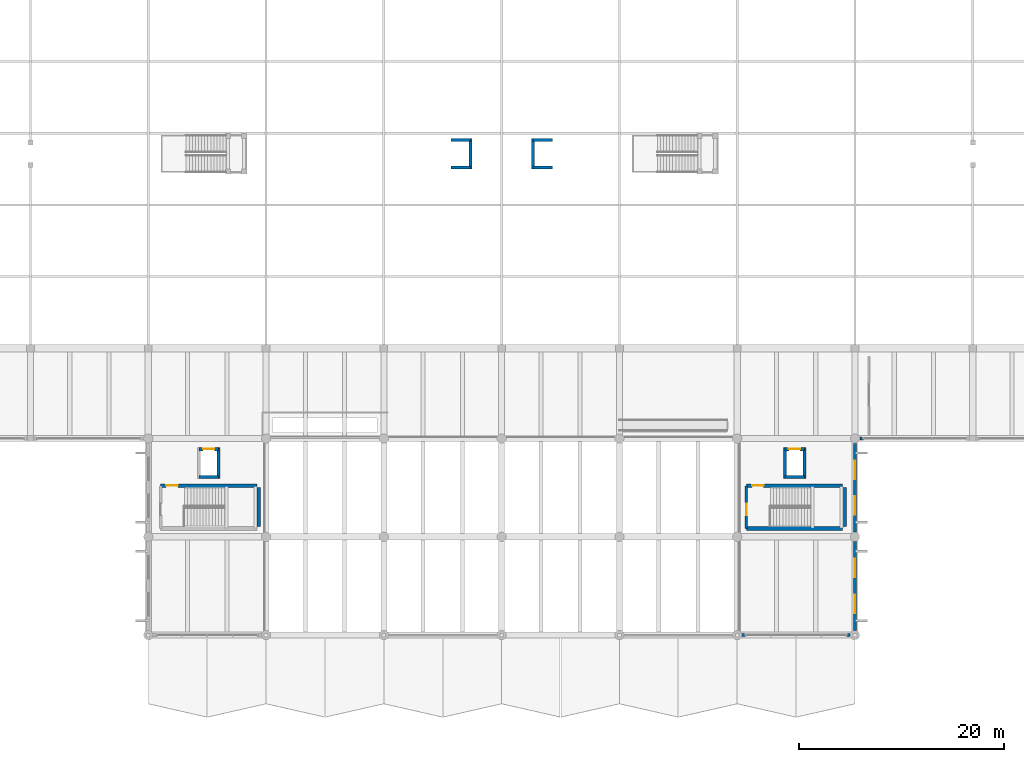
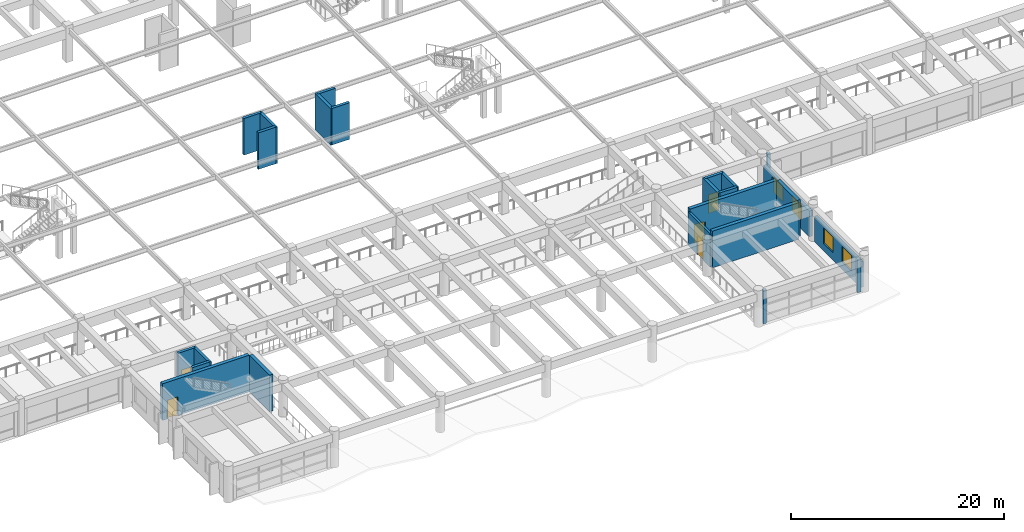
# One storey, part 71 of 98: 24 walls, 5 doors, 4 windows, 9 openings.
"""IFC4 building model written with IfcOpenShell, lengths in metres."""

from ifc_helpers import new_model, si_unit, direction, frame, frame_2d, origin, place, context, subcontext, project, spatial, rectangle, extrude, material, layer, layer_set, type_object, element, fill, save


model = new_model("IFC4")

# Units and contexts
model_context = context("Model", 3, precision=1e-05, world=origin(), true_north=direction((0.0, 1.0)))
body_context = subcontext(model_context, "Body", "Model", "MODEL_VIEW")
ifc_project = project(units=[si_unit("LENGTHUNIT", "METRE"), si_unit("AREAUNIT", "SQUARE_METRE"), si_unit("VOLUMEUNIT", "CUBIC_METRE"), si_unit("PLANEANGLEUNIT", "RADIAN"), si_unit("MASSUNIT", "GRAM", prefix="KILO")], contexts=[model_context])

# Site, building, storey
site_placement = place(None, origin())
site = spatial("IfcSite", under=ifc_project, at=site_placement, CompositionType="ELEMENT")
building_placement = place(site_placement, origin())
building = spatial("IfcBuilding", under=site, at=building_placement, Name="Ologun Quay Terminus", CompositionType="ELEMENT")
storey_placement = place(building_placement, frame((0.0, 0.0, 4.199951171875)))
storey = spatial("IfcBuildingStorey", under=building, at=storey_placement, Name="L01", CompositionType="ELEMENT", Elevation=4.199951171875)

# Walls
ifc_material_1 = material(Name="Concrete C40/50", Category="concrete")
ifc_layer_1 = layer(ifc_material_1, 0.280029296875)
ifc_layer_set_1 = layer_set([ifc_layer_1], Name="Concrete C40/50")
wall_type_1 = type_object("IfcWallType", Name="Courtyard Wing Spandrel Concrete Wall 280", PredefinedType="SOLIDWALL", material=ifc_layer_set_1)
for number, where, z_axis, x_axis, name in (
    (1, (115.469970703125, 8.0, 0.0), (0.0, 0.0, 1.0), (1.0, 0.0, 0.0), "Curtain Wall Jamb Pier CW-L01-015-J1"),
    (2, (125.679931640625, 8.0, 0.0), (0.0, 0.0, 1.0), (1.0, 0.0, 0.0), "Curtain Wall Jamb Pier CW-L01-015-J2"),
    (3, (126.969970703125, 27.199951171875, 0.0), (0.0, 0.0, 1.0), (1.0, 0.0, 0.0), "Curtain Wall Jamb Pier CW-L01-016-J1"),
):
    element("IfcWall", number, at=place(storey_placement, frame(where, z_axis=z_axis, x_axis=x_axis)), inside=storey, type_object=wall_type_1, Name=name, PredefinedType="SOLIDWALL", context=body_context, shape_type="SweptSolid", body=[
        extrude(rectangle(XDim=0.35009765625, YDim=0.280029296875, at=frame_2d((0.175048828125, 0.0))), origin(), (0.0, 0.0, 1.0), 3.840087890625),
    ])

# Wall, opening, door
ifc_material_2 = material(Name="Concrete C40/50", Category="concrete")
ifc_layer_2 = layer(ifc_material_2, 0.239990234375)
ifc_layer_set_2 = layer_set([ifc_layer_2], Name="Concrete C40/50")
wall_type_2 = type_object("IfcWallType", Name="Fire Compartment Blockwork Wall 240", PredefinedType="SOLIDWALL", material=ifc_layer_set_2)
wall_1_placement = place(storey_placement, frame((115.89990234375, 18.419921875, 0.0), z_axis=(0.0, 0.0, 1.0), x_axis=(0.0, 1.0, 0.0)))
wall_1 = element("IfcWall", 4, at=wall_1_placement, inside=storey, type_object=wall_type_2, Name="PW-01 Partition ST-S4-W", PredefinedType="SOLIDWALL", context=body_context, shape_type="SweptSolid", body=[
    extrude(rectangle(XDim=4.16015625, YDim=0.239990234375, at=frame_2d((2.080078125, 0.0))), origin(), (0.0, 0.0, 1.0), 3.840087890625),
])
opening_1_placement = place(wall_1_placement, frame((1.300048828125, 0.0, 0.0)))
opening_1 = element("IfcOpeningElement", 5, at=opening_1_placement, cuts=wall_1, Name="Opening ID-268", PredefinedType="OPENING", context=body_context, shape_type="SweptSolid", body=[
    extrude(rectangle(XDim=1.1298828125, YDim=2.14990234375, at=frame_2d((0.56494140625, 1.074951171875))), frame((0.0, 0.1298828125, 0.0), z_axis=(0.0, -1.0, 0.0), x_axis=(1.0, 0.0, 0.0)), (0.0, 0.0, 1.0), 0.260009765625),
])
ifc_material_3 = material(Name="Steel S355", Category="steel")
door_type_1 = type_object("IfcDoorType", Name="Stairwell Fire Escape Door 1130x2150", OperationType="SINGLE_SWING_LEFT", PredefinedType="DOOR", material=ifc_material_3)
door_1_placement = place(opening_1_placement, frame((0.56494140625, 0.0, 0.0), z_axis=(0.0, 0.0, 1.0), x_axis=(-1.0, 0.0, 0.0)))
door_1 = element("IfcDoor", 6, at=door_1_placement, inside=storey, type_object=door_type_1, Name="FD-01 Door ID-268", OperationType="SINGLE_SWING_LEFT", OverallHeight=2.14990234375, OverallWidth=1.1298828125, PredefinedType="DOOR", context=body_context, shape_type="SweptSolid", body=[
    extrude(rectangle(XDim=1.1298828125, YDim=2.14990234375, at=frame_2d((0.0, 1.074951171875))), frame((0.0, 0.02490234375, 0.0), z_axis=(0.0, -1.0, 0.0), x_axis=(1.0, 0.0, 0.0)), (0.0, 0.0, 1.0), 0.050048828125),
])
fill(opening_1, door_1)

# Wall
ifc_material_4 = material(Name="Concrete C40/50", Category="concrete")
ifc_layer_3 = layer(ifc_material_4, 0.300048828125)
ifc_layer_set_3 = layer_set([ifc_layer_3], Name="Concrete C40/50")
wall_type_3 = type_object("IfcWallType", Name="Lift Shaft Structural Shear Wall 300", PredefinedType="SHEAR", material=ifc_layer_set_3)
wall_2_placement = place(storey_placement, frame((62.449951171875, 23.449951171875, 0.0), z_axis=(0.0, 0.0, 1.0), x_axis=(1.0, 0.0, 0.0)))
element("IfcWall", 7, at=wall_2_placement, inside=storey, type_object=wall_type_3, Name="Lift PL-S1 Shaft Wall S L01", PredefinedType="SHEAR", context=body_context, shape_type="SweptSolid", body=[
    extrude(rectangle(XDim=1.900146484375, YDim=0.300048828125, at=frame_2d((0.9501953125, 0.0))), origin(), (0.0, 0.0, 1.0), 4.199951171875),
])

# Wall, opening, door
wall_3_placement = place(storey_placement, frame((62.449951171875, 26.14990234375, 0.0), z_axis=(0.0, 0.0, 1.0), x_axis=(1.0, 0.0, 0.0)))
wall_3 = element("IfcWall", 8, at=wall_3_placement, inside=storey, type_object=wall_type_3, Name="Lift PL-S1 Shaft Wall N L01", PredefinedType="SHEAR", context=body_context, shape_type="SweptSolid", body=[
    extrude(rectangle(XDim=1.900146484375, YDim=0.300048828125, at=frame_2d((0.9501953125, 0.0))), origin(), (0.0, 0.0, 1.0), 4.199951171875),
])
opening_2_placement = place(wall_3_placement, frame((0.39990234375, 0.0, 0.0)))
opening_2 = element("IfcOpeningElement", 9, at=opening_2_placement, cuts=wall_3, Name="Opening ID-049", PredefinedType="OPENING", context=body_context, shape_type="SweptSolid", body=[
    extrude(rectangle(XDim=1.10009765625, YDim=2.14990234375, at=frame_2d((0.550048828125, 1.074951171875))), frame((0.0, 0.16015625, 0.0), z_axis=(0.0, -1.0, 0.0), x_axis=(1.0, 0.0, 0.0)), (0.0, 0.0, 1.0), 0.320068359375),
])
ifc_material_5 = material(Name="Steel S355", Category="steel")
door_type_2 = type_object("IfcDoorType", Name="Lift Landing Sliding Door 1100x2150", OperationType="SLIDING_TO_LEFT", PredefinedType="DOOR", material=ifc_material_5)
door_2_placement = place(opening_2_placement, origin())
door_2 = element("IfcDoor", 10, at=door_2_placement, inside=storey, type_object=door_type_2, Name="LD-01 Door ID-049", OperationType="SLIDING_TO_LEFT", OverallHeight=2.14990234375, OverallWidth=1.10009765625, PredefinedType="DOOR", context=body_context, shape_type="SweptSolid", body=[
    extrude(rectangle(XDim=1.10009765625, YDim=2.14990234375, at=frame_2d((0.550048828125, 1.074951171875))), frame((0.0, 0.02490234375, 0.0), z_axis=(0.0, -1.0, 0.0), x_axis=(1.0, 0.0, 0.0)), (0.0, 0.0, 1.0), 0.050048828125),
])
fill(opening_2, door_2)

# Walls
wall_4_placement = place(storey_placement, frame((64.35009765625, 23.300048828125, 0.0), z_axis=(0.0, 0.0, 1.0), x_axis=(0.0, 1.0, 0.0)))
element("IfcWall", 11, at=wall_4_placement, inside=storey, type_object=wall_type_3, Name="Lift PL-S1 Shaft Wall E L01", PredefinedType="SHEAR", context=body_context, shape_type="SweptSolid", body=[
    extrude(rectangle(XDim=3.0, YDim=0.300048828125, at=frame_2d((1.5, 0.0))), origin(), (0.0, 0.0, 1.0), 4.199951171875),
])
wall_5_placement = place(storey_placement, frame((119.64990234375, 23.449951171875, 0.0), z_axis=(0.0, 0.0, 1.0), x_axis=(1.0, 0.0, 0.0)))
element("IfcWall", 12, at=wall_5_placement, inside=storey, type_object=wall_type_3, Name="Lift PL-S2 Shaft Wall S L01", PredefinedType="SHEAR", context=body_context, shape_type="SweptSolid", body=[
    extrude(rectangle(XDim=1.900146484375, YDim=0.300048828125, at=frame_2d((0.9501953125, 0.0))), origin(), (0.0, 0.0, 1.0), 4.199951171875),
])

# Wall, opening, door
wall_6_placement = place(storey_placement, frame((119.64990234375, 26.14990234375, 0.0), z_axis=(0.0, 0.0, 1.0), x_axis=(1.0, 0.0, 0.0)))
wall_6 = element("IfcWall", 13, at=wall_6_placement, inside=storey, type_object=wall_type_3, Name="Lift PL-S2 Shaft Wall N L01", PredefinedType="SHEAR", context=body_context, shape_type="SweptSolid", body=[
    extrude(rectangle(XDim=1.900146484375, YDim=0.300048828125, at=frame_2d((0.9501953125, 0.0))), origin(), (0.0, 0.0, 1.0), 4.199951171875),
])
opening_3_placement = place(wall_6_placement, frame((0.39990234375, 0.0, 0.0)))
opening_3 = element("IfcOpeningElement", 14, at=opening_3_placement, cuts=wall_6, Name="Opening ID-055", PredefinedType="OPENING", context=body_context, shape_type="SweptSolid", body=[
    extrude(rectangle(XDim=1.10009765625, YDim=2.14990234375, at=frame_2d((0.550048828125, 1.074951171875))), frame((0.0, 0.16015625, 0.0), z_axis=(0.0, -1.0, 0.0), x_axis=(1.0, 0.0, 0.0)), (0.0, 0.0, 1.0), 0.320068359375),
])
door_3_placement = place(opening_3_placement, origin())
door_3 = element("IfcDoor", 15, at=door_3_placement, inside=storey, type_object=door_type_2, Name="LD-01 Door ID-055", OperationType="SLIDING_TO_LEFT", OverallHeight=2.14990234375, OverallWidth=1.10009765625, PredefinedType="DOOR", context=body_context, shape_type="SweptSolid", body=[
    extrude(rectangle(XDim=1.10009765625, YDim=2.14990234375, at=frame_2d((0.550048828125, 1.074951171875))), frame((0.0, 0.02490234375, 0.0), z_axis=(0.0, -1.0, 0.0), x_axis=(1.0, 0.0, 0.0)), (0.0, 0.0, 1.0), 0.050048828125),
])
fill(opening_3, door_3)

# Walls
for number, where, z_axis, x_axis, name in (
    (16, (119.64990234375, 23.300048828125, 0.0), (0.0, 0.0, 1.0), (0.0, 1.0, 0.0), "Lift PL-S2 Shaft Wall W L01"),
    (17, (121.550048828125, 23.300048828125, 0.0), (0.0, 0.0, 1.0), (0.0, 1.0, 0.0), "Lift PL-S2 Shaft Wall E L01"),
):
    element("IfcWall", number, at=place(storey_placement, frame(where, z_axis=z_axis, x_axis=x_axis)), inside=storey, type_object=wall_type_3, Name=name, PredefinedType="SHEAR", context=body_context, shape_type="SweptSolid", body=[
        extrude(rectangle(XDim=3.0, YDim=0.300048828125, at=frame_2d((1.5, 0.0))), origin(), (0.0, 0.0, 1.0), 4.199951171875),
    ])
for number, where, z_axis, x_axis, name in (
    (18, (87.050048828125, 53.64990234375, 0.0), (0.0, 0.0, 1.0), (1.0, 0.0, 0.0), "Lift PL-P1 Shaft Wall S L01"),
    (19, (87.050048828125, 56.35009765625, 0.0), (0.0, 0.0, 1.0), (1.0, 0.0, 0.0), "Lift PL-P1 Shaft Wall N L01"),
):
    element("IfcWall", number, at=place(storey_placement, frame(where, z_axis=z_axis, x_axis=x_axis)), inside=storey, type_object=wall_type_3, Name=name, PredefinedType="SHEAR", context=body_context, shape_type="SweptSolid", body=[
        extrude(rectangle(XDim=1.89990234375, YDim=0.300048828125, at=frame_2d((0.949951171875, 0.0))), origin(), (0.0, 0.0, 1.0), 4.199951171875),
    ])
wall_7_placement = place(storey_placement, frame((88.949951171875, 53.5, 0.0), z_axis=(0.0, 0.0, 1.0), x_axis=(0.0, 1.0, 0.0)))
element("IfcWall", 20, at=wall_7_placement, inside=storey, type_object=wall_type_3, Name="Lift PL-P1 Shaft Wall E L01", PredefinedType="SHEAR", context=body_context, shape_type="SweptSolid", body=[
    extrude(rectangle(XDim=3.0, YDim=0.300048828125, at=frame_2d((1.5, 0.0))), origin(), (0.0, 0.0, 1.0), 4.199951171875),
])
for number, where, z_axis, x_axis, name in (
    (21, (95.050048828125, 53.64990234375, 0.0), (0.0, 0.0, 1.0), (1.0, 0.0, 0.0), "Lift PL-P2 Shaft Wall S L01"),
    (22, (95.050048828125, 56.35009765625, 0.0), (0.0, 0.0, 1.0), (1.0, 0.0, 0.0), "Lift PL-P2 Shaft Wall N L01"),
):
    element("IfcWall", number, at=place(storey_placement, frame(where, z_axis=z_axis, x_axis=x_axis)), inside=storey, type_object=wall_type_3, Name=name, PredefinedType="SHEAR", context=body_context, shape_type="SweptSolid", body=[
        extrude(rectangle(XDim=1.89990234375, YDim=0.300048828125, at=frame_2d((0.949951171875, 0.0))), origin(), (0.0, 0.0, 1.0), 4.199951171875),
    ])
wall_8_placement = place(storey_placement, frame((95.050048828125, 53.5, 0.0), z_axis=(0.0, 0.0, 1.0), x_axis=(0.0, 1.0, 0.0)))
element("IfcWall", 23, at=wall_8_placement, inside=storey, type_object=wall_type_3, Name="Lift PL-P2 Shaft Wall W L01", PredefinedType="SHEAR", context=body_context, shape_type="SweptSolid", body=[
    extrude(rectangle(XDim=3.0, YDim=0.300048828125, at=frame_2d((1.5, 0.0))), origin(), (0.0, 0.0, 1.0), 4.199951171875),
])

# Wall, opening, door
ifc_material_6 = material(Name="Concrete C40/50", Category="concrete")
ifc_layer_4 = layer(ifc_material_6, 0.3798828125)
ifc_layer_set_4 = layer_set([ifc_layer_4], Name="Concrete C40/50")
wall_type_4 = type_object("IfcWallType", Name="Platform Spine Shear Wall 380", PredefinedType="SHEAR", material=ifc_layer_set_4)
wall_9_placement = place(storey_placement, frame((58.699951171875, 22.590087890625, 0.0), z_axis=(0.0, 0.0, 1.0), x_axis=(1.0, 0.0, 0.0)))
wall_9 = element("IfcWall", 24, at=wall_9_placement, inside=storey, type_object=wall_type_4, Name="Station Core 3 N Shear Wall L01", PredefinedType="SHEAR", context=body_context, shape_type="SweptSolid", body=[
    extrude(rectangle(XDim=9.400146484375, YDim=0.3798828125, at=frame_2d((4.7001953125, 0.0))), origin(), (0.0, 0.0, 1.0), 4.199951171875),
])
opening_4_placement = place(wall_9_placement, frame((0.550048828125, 0.0, 0.0)))
opening_4 = element("IfcOpeningElement", 25, at=opening_4_placement, cuts=wall_9, Name="Opening ID-256", PredefinedType="OPENING", context=body_context, shape_type="SweptSolid", body=[
    extrude(rectangle(XDim=1.1298828125, YDim=2.14990234375, at=frame_2d((0.56494140625, 1.074951171875))), frame((0.0, 0.199951171875, 0.0), z_axis=(0.0, -1.0, 0.0), x_axis=(1.0, 0.0, 0.0)), (0.0, 0.0, 1.0), 0.39990234375),
])
door_4_placement = place(opening_4_placement, frame((0.56494140625, 0.0, 0.0), z_axis=(0.0, 0.0, 1.0), x_axis=(-1.0, 0.0, 0.0)))
door_4 = element("IfcDoor", 26, at=door_4_placement, inside=storey, type_object=door_type_1, Name="FD-01 Door ID-256", OperationType="SINGLE_SWING_LEFT", OverallHeight=2.14990234375, OverallWidth=1.1298828125, PredefinedType="DOOR", context=body_context, shape_type="SweptSolid", body=[
    extrude(rectangle(XDim=1.1298828125, YDim=2.14990234375, at=frame_2d((0.0, 1.074951171875))), frame((0.0, 0.02490234375, 0.0), z_axis=(0.0, -1.0, 0.0), x_axis=(1.0, 0.0, 0.0)), (0.0, 0.0, 1.0), 0.050048828125),
])
fill(opening_4, door_4)

# Walls
wall_10_placement = place(storey_placement, frame((68.2900390625, 18.60009765625, 0.0), z_axis=(0.0, 0.0, 1.0), x_axis=(0.0, 1.0, 0.0)))
element("IfcWall", 27, at=wall_10_placement, inside=storey, type_object=wall_type_4, Name="Station Core 3 E Shear Wall L01", PredefinedType="SHEAR", context=body_context, shape_type="SweptSolid", body=[
    extrude(rectangle(XDim=3.7998046875, YDim=0.3798828125, at=frame_2d((1.89990234375, 0.0))), origin(), (0.0, 0.0, 1.0), 4.199951171875),
])
wall_11_placement = place(storey_placement, frame((115.89990234375, 18.409912109375, 0.0), z_axis=(0.0, 0.0, 1.0), x_axis=(1.0, 0.0, 0.0)))
element("IfcWall", 28, at=wall_11_placement, inside=storey, type_object=wall_type_4, Name="Station Core 4 S Shear Wall L01", PredefinedType="SHEAR", context=body_context, shape_type="SweptSolid", body=[
    extrude(rectangle(XDim=9.400146484375, YDim=0.3798828125, at=frame_2d((4.7001953125, 0.0))), origin(), (0.0, 0.0, 1.0), 4.199951171875),
])

# Wall, opening, door
wall_12_placement = place(storey_placement, frame((115.89990234375, 22.590087890625, 0.0), z_axis=(0.0, 0.0, 1.0), x_axis=(1.0, 0.0, 0.0)))
wall_12 = element("IfcWall", 29, at=wall_12_placement, inside=storey, type_object=wall_type_4, Name="Station Core 4 N Shear Wall L01", PredefinedType="SHEAR", context=body_context, shape_type="SweptSolid", body=[
    extrude(rectangle(XDim=9.400146484375, YDim=0.3798828125, at=frame_2d((4.7001953125, 0.0))), origin(), (0.0, 0.0, 1.0), 4.199951171875),
])
opening_5_placement = place(wall_12_placement, frame((0.550048828125, 0.0, 0.0)))
opening_5 = element("IfcOpeningElement", 30, at=opening_5_placement, cuts=wall_12, Name="Opening ID-269", PredefinedType="OPENING", context=body_context, shape_type="SweptSolid", body=[
    extrude(rectangle(XDim=1.1298828125, YDim=2.14990234375, at=frame_2d((0.56494140625, 1.074951171875))), frame((0.0, 0.199951171875, 0.0), z_axis=(0.0, -1.0, 0.0), x_axis=(1.0, 0.0, 0.0)), (0.0, 0.0, 1.0), 0.39990234375),
])
door_5_placement = place(opening_5_placement, frame((0.56494140625, 0.0, 0.0), z_axis=(0.0, 0.0, 1.0), x_axis=(-1.0, 0.0, 0.0)))
door_5 = element("IfcDoor", 31, at=door_5_placement, inside=storey, type_object=door_type_1, Name="FD-01 Door ID-269", OperationType="SINGLE_SWING_LEFT", OverallHeight=2.14990234375, OverallWidth=1.1298828125, PredefinedType="DOOR", context=body_context, shape_type="SweptSolid", body=[
    extrude(rectangle(XDim=1.1298828125, YDim=2.14990234375, at=frame_2d((0.0, 1.074951171875))), frame((0.0, 0.02490234375, 0.0), z_axis=(0.0, -1.0, 0.0), x_axis=(1.0, 0.0, 0.0)), (0.0, 0.0, 1.0), 0.050048828125),
])
fill(opening_5, door_5)

# Wall
wall_13_placement = place(storey_placement, frame((125.489990234375, 18.60009765625, 0.0), z_axis=(0.0, 0.0, 1.0), x_axis=(0.0, 1.0, 0.0)))
element("IfcWall", 32, at=wall_13_placement, inside=storey, type_object=wall_type_4, Name="Station Core 4 E Shear Wall L01", PredefinedType="SHEAR", context=body_context, shape_type="SweptSolid", body=[
    extrude(rectangle(XDim=3.7998046875, YDim=0.3798828125, at=frame_2d((1.89990234375, 0.0))), origin(), (0.0, 0.0, 1.0), 4.199951171875),
])

# Wall, openings, windows
ifc_material_7 = material(Name="Concrete C40/50", Category="concrete")
ifc_layer_5 = layer(ifc_material_7, 0.320068359375)
ifc_layer_set_5 = layer_set([ifc_layer_5], Name="Concrete C40/50")
wall_type_5 = type_object("IfcWallType", Name="Podium Sculpted Concrete Facade Wall 320", PredefinedType="SOLIDWALL", material=ifc_layer_set_5)
wall_14_placement = place(storey_placement, frame((126.5, 8.469970703125, 0.0), z_axis=(0.0, 0.0, 1.0), x_axis=(0.0, 1.0, 0.0)))
wall_14 = element("IfcWall", 33, at=wall_14_placement, inside=storey, type_object=wall_type_5, Name="EW-01 Facade Wall WEW-SA-L01-2-11", PredefinedType="SOLIDWALL", context=body_context, shape_type="SweptSolid", body=[
    extrude(rectangle(XDim=8.659912109375, YDim=0.320068359375, at=frame_2d((4.330078125, 0.0))), origin(), (0.0, 0.0, 1.0), 2.949951171875),
])
opening_6_placement = place(wall_14_placement, frame((1.686767578125, 0.0, 0.85009765625)))
opening_6 = element("IfcOpeningElement", 34, at=opening_6_placement, cuts=wall_14, Name="Opening WN-041", PredefinedType="OPENING", context=body_context, shape_type="SweptSolid", body=[
    extrude(rectangle(XDim=1.800048828125, YDim=1.800048828125, at=frame_2d((0.89990234375, 0.89990234375))), frame((0.0, 0.169921875, 0.0), z_axis=(0.0, -1.0, 0.0), x_axis=(1.0, 0.0, 0.0)), (0.0, 0.0, 1.0), 0.340087890625),
])
opening_7_placement = place(wall_14_placement, frame((5.17333984375, 0.0, 0.85009765625)))
opening_7 = element("IfcOpeningElement", 35, at=opening_7_placement, cuts=wall_14, Name="Opening WN-042", PredefinedType="OPENING", context=body_context, shape_type="SweptSolid", body=[
    extrude(rectangle(XDim=1.800048828125, YDim=1.800048828125, at=frame_2d((0.89990234375, 0.89990234375))), frame((0.0, 0.169921875, 0.0), z_axis=(0.0, -1.0, 0.0), x_axis=(1.0, 0.0, 0.0)), (0.0, 0.0, 1.0), 0.340087890625),
])
ifc_material_8 = material(Name="Glass", Category="glass")
window_type = type_object("IfcWindowType", Name="Mezzanine Gallery Window 1800x1800", PartitioningType="SINGLE_PANEL", PredefinedType="WINDOW", material=ifc_material_8)
window_1_placement = place(opening_6_placement, origin())
window_1 = element("IfcWindow", 36, at=window_1_placement, inside=storey, type_object=window_type, Name="W-05 Window WN-041", OverallHeight=1.800048828125, OverallWidth=1.800048828125, PartitioningType="SINGLE_PANEL", PredefinedType="WINDOW", context=body_context, shape_type="SweptSolid", body=[
    extrude(rectangle(XDim=1.800048828125, YDim=1.800048828125, at=frame_2d((0.89990234375, 0.89990234375))), frame((0.0, 0.030029296875, 0.0), z_axis=(0.0, -1.0, 0.0), x_axis=(1.0, 0.0, 0.0)), (0.0, 0.0, 1.0), 0.06005859375),
])
fill(opening_6, window_1)
window_2_placement = place(opening_7_placement, origin())
window_2 = element("IfcWindow", 37, at=window_2_placement, inside=storey, type_object=window_type, Name="W-05 Window WN-042", OverallHeight=1.800048828125, OverallWidth=1.800048828125, PartitioningType="SINGLE_PANEL", PredefinedType="WINDOW", context=body_context, shape_type="SweptSolid", body=[
    extrude(rectangle(XDim=1.800048828125, YDim=1.800048828125, at=frame_2d((0.89990234375, 0.89990234375))), frame((0.0, 0.030029296875, 0.0), z_axis=(0.0, -1.0, 0.0), x_axis=(1.0, 0.0, 0.0)), (0.0, 0.0, 1.0), 0.06005859375),
])
fill(opening_7, window_2)

wall_15_placement = place(storey_placement, frame((126.5, 18.070068359375, 0.0), z_axis=(0.0, 0.0, 1.0), x_axis=(0.0, 1.0, 0.0)))
wall_15 = element("IfcWall", 38, at=wall_15_placement, inside=storey, type_object=wall_type_5, Name="EW-01 Facade Wall WEW-SA-L01-2-12", PredefinedType="SOLIDWALL", context=body_context, shape_type="SweptSolid", body=[
    extrude(rectangle(XDim=8.659912109375, YDim=0.320068359375, at=frame_2d((4.330078125, 0.0))), origin(), (0.0, 0.0, 1.0), 2.949951171875),
])
opening_8_placement = place(wall_15_placement, frame((1.686767578125, 0.0, 0.85009765625)))
opening_8 = element("IfcOpeningElement", 39, at=opening_8_placement, cuts=wall_15, Name="Opening WN-043", PredefinedType="OPENING", context=body_context, shape_type="SweptSolid", body=[
    extrude(rectangle(XDim=1.800048828125, YDim=1.800048828125, at=frame_2d((0.89990234375, 0.89990234375))), frame((0.0, 0.169921875, 0.0), z_axis=(0.0, -1.0, 0.0), x_axis=(1.0, 0.0, 0.0)), (0.0, 0.0, 1.0), 0.340087890625),
])
opening_9_placement = place(wall_15_placement, frame((5.17333984375, 0.0, 0.85009765625)))
opening_9 = element("IfcOpeningElement", 40, at=opening_9_placement, cuts=wall_15, Name="Opening WN-044", PredefinedType="OPENING", context=body_context, shape_type="SweptSolid", body=[
    extrude(rectangle(XDim=1.800048828125, YDim=1.800048828125, at=frame_2d((0.89990234375, 0.89990234375))), frame((0.0, 0.169921875, 0.0), z_axis=(0.0, -1.0, 0.0), x_axis=(1.0, 0.0, 0.0)), (0.0, 0.0, 1.0), 0.340087890625),
])
window_3_placement = place(opening_8_placement, origin())
window_3 = element("IfcWindow", 41, at=window_3_placement, inside=storey, type_object=window_type, Name="W-05 Window WN-043", OverallHeight=1.800048828125, OverallWidth=1.800048828125, PartitioningType="SINGLE_PANEL", PredefinedType="WINDOW", context=body_context, shape_type="SweptSolid", body=[
    extrude(rectangle(XDim=1.800048828125, YDim=1.800048828125, at=frame_2d((0.89990234375, 0.89990234375))), frame((0.0, 0.030029296875, 0.0), z_axis=(0.0, -1.0, 0.0), x_axis=(1.0, 0.0, 0.0)), (0.0, 0.0, 1.0), 0.06005859375),
])
fill(opening_8, window_3)
window_4_placement = place(opening_9_placement, origin())
window_4 = element("IfcWindow", 42, at=window_4_placement, inside=storey, type_object=window_type, Name="W-05 Window WN-044", OverallHeight=1.800048828125, OverallWidth=1.800048828125, PartitioningType="SINGLE_PANEL", PredefinedType="WINDOW", context=body_context, shape_type="SweptSolid", body=[
    extrude(rectangle(XDim=1.800048828125, YDim=1.800048828125, at=frame_2d((0.89990234375, 0.89990234375))), frame((0.0, 0.030029296875, 0.0), z_axis=(0.0, -1.0, 0.0), x_axis=(1.0, 0.0, 0.0)), (0.0, 0.0, 1.0), 0.06005859375),
])
fill(opening_9, window_4)

save(model, "model.ifc")
